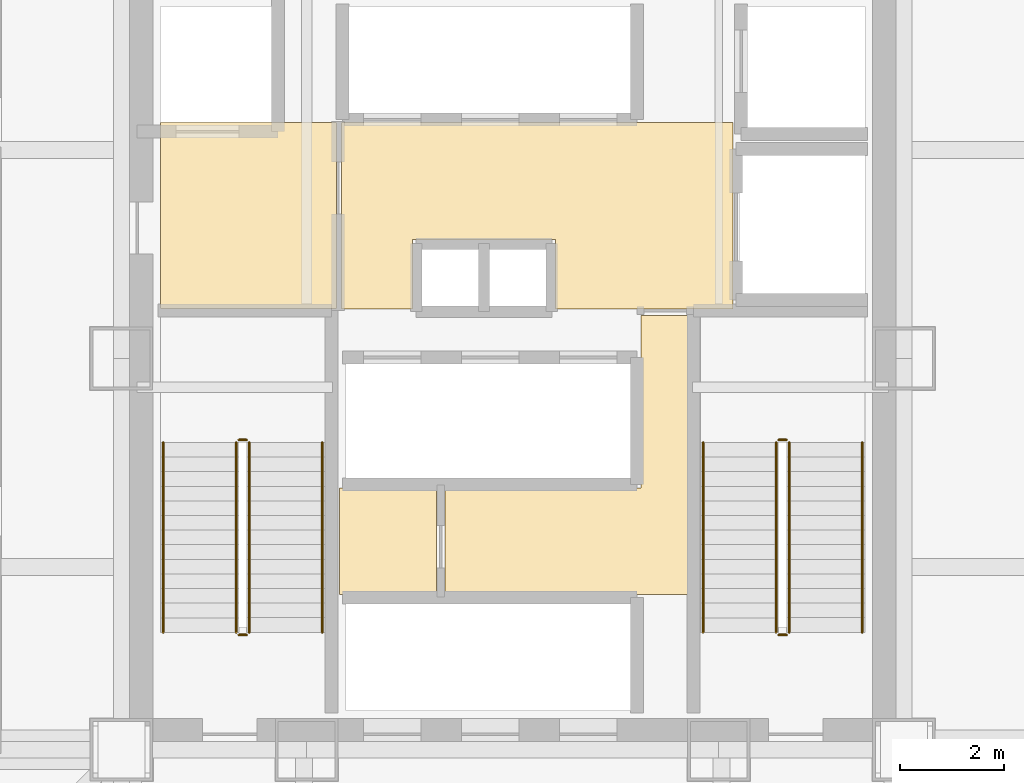
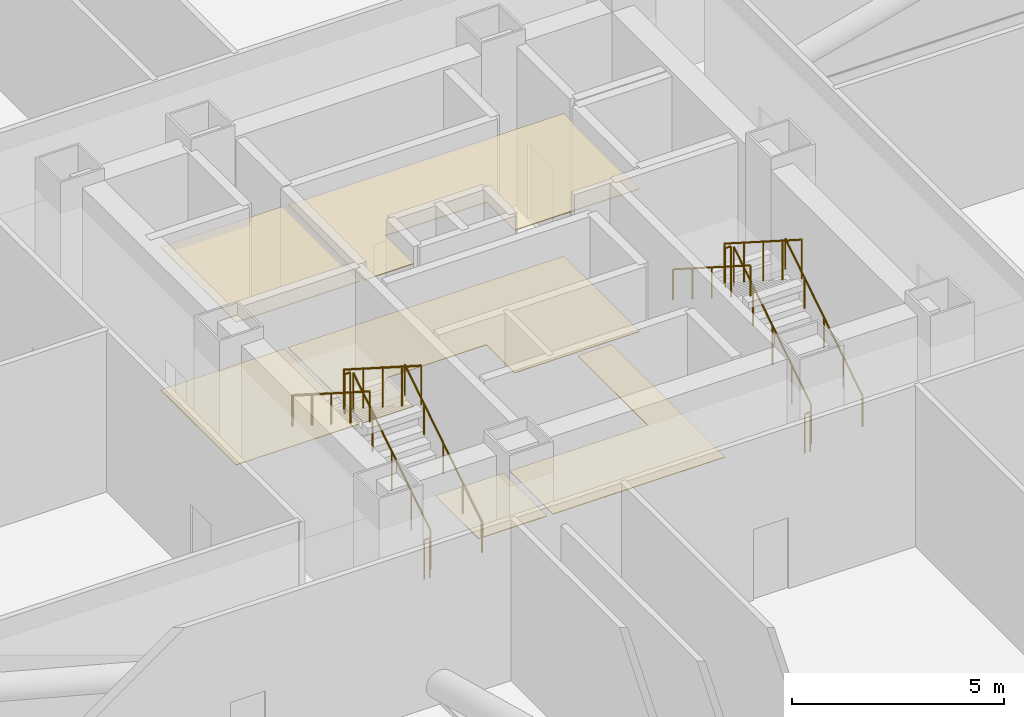
# One storey, part 7 of 8: 12 railings, 6 coverings.
"""IFC4 building model written with IfcOpenShell, lengths in metres."""

from ifc_helpers import new_model, si_unit, direction, frame, origin, origin_2d, place, context, subcontext, project, spatial, polyline, circle, outline, extrude, material, layer, layer_set, type_object, element, save


model = new_model("IFC4")

# Units and contexts
model_context = context("Model", 3, precision=1e-05, world=origin(), true_north=direction((0.0, 1.0)))
body_context = subcontext(model_context, "Body", "Model", "MODEL_VIEW")
ifc_project = project(units=[si_unit("LENGTHUNIT", "METRE"), si_unit("AREAUNIT", "SQUARE_METRE"), si_unit("VOLUMEUNIT", "CUBIC_METRE"), si_unit("PLANEANGLEUNIT", "RADIAN"), si_unit("MASSUNIT", "GRAM", prefix="KILO")], contexts=[model_context])

# Site, building, storey
site_placement = place(None, origin())
site = spatial("IfcSite", under=ifc_project, at=site_placement, CompositionType="ELEMENT")
building_placement = place(site_placement, origin())
building = spatial("IfcBuilding", under=site, at=building_placement, Name="Trevonay Congress Spire", CompositionType="ELEMENT")
storey_placement = place(building_placement, frame((0.0, 0.0, 83.0)))
storey = spatial("IfcBuildingStorey", under=building, at=storey_placement, Name="L21", CompositionType="ELEMENT", Elevation=83.0)

# Coverings
ifc_material_1 = material(Name="Acoustic Mineral Fibre Board", Category="gypsum")
ifc_layer_1 = layer(ifc_material_1, 0.02490234375, Name="Acoustic Mineral Fibre Board")
ifc_layer_set_1 = layer_set([ifc_layer_1], Name="Acoustic Mineral Fibre Board")
covering_type_1 = type_object("IfcCoveringType", Name="COV-CEIL-ACOUSTIC", PredefinedType="CEILING", material=ifc_layer_set_1)
covering_1_placement = place(storey_placement, frame((0.0, 0.0, 4.10009765625)))
element("IfcCovering", 1, at=covering_1_placement, inside=storey, type_object=covering_type_1, Name="L21 Firefighting Lift Lobby West acoustic suspended ceiling", PredefinedType="CEILING", context=body_context, shape_type="SweptSolid", body=[
    extrude(outline(polyline([(-6.75, 0.9599609375), (-3.3798828125, 0.9599609375), (-3.3798828125, 4.52001953125), (-6.75, 4.52001953125), (-6.75, 0.9599609375)])), origin(), (0.0, 0.0, 1.0), 0.02490234375),
])
covering_2_placement = place(storey_placement, frame((0.0, 0.0, 4.10009765625)))
element("IfcCovering", 2, at=covering_2_placement, inside=storey, type_object=covering_type_1, Name="L21 Central and High-Rise Passenger Lift Lobby acoustic suspended ceiling", PredefinedType="CEILING", context=body_context, shape_type="SweptSolid", body=[
    extrude(outline(polyline([(-3.280029296875, 0.949951171875), (-1.919921875, 0.949951171875), (-1.919921875, 2.280029296875), (0.820068359375, 2.280029296875), (0.820068359375, 0.949951171875), (4.219970703125, 0.949951171875), (4.219970703125, 4.52001953125), (-3.280029296875, 4.52001953125), (-3.280029296875, 0.949951171875)])), origin(), (0.0, 0.0, 1.0), 0.02490234375),
])
ifc_material_2 = material(Name="Polished Granite Floor Tile", Category="masonry")
ifc_layer_2 = layer(ifc_material_2, 0.02001953125, Name="Polished Granite Floor Tile")
ifc_layer_set_2 = layer_set([ifc_layer_2], Name="Polished Granite Floor Tile")
covering_type_2 = type_object("IfcCoveringType", Name="COV-FLOOR-STONE", PredefinedType="FLOORING", material=ifc_layer_set_2)
covering_3_placement = place(storey_placement, origin())
element("IfcCovering", 3, at=covering_3_placement, inside=storey, type_object=covering_type_2, Name="L21 Firefighting Lift Lobby West floor finish", PredefinedType="FLOORING", context=body_context, shape_type="SweptSolid", body=[
    extrude(outline(polyline([(-6.75, 0.9599609375), (-3.3798828125, 0.9599609375), (-3.3798828125, 4.52001953125), (-6.75, 4.52001953125), (-6.75, 0.9599609375)])), origin(), (0.0, 0.0, 1.0), 0.02001953125),
])
covering_4_placement = place(storey_placement, origin())
element("IfcCovering", 4, at=covering_4_placement, inside=storey, type_object=covering_type_2, Name="L21 Central and High-Rise Passenger Lift Lobby floor finish", PredefinedType="FLOORING", context=body_context, shape_type="SweptSolid", body=[
    extrude(outline(polyline([(-3.280029296875, 0.949951171875), (-1.919921875, 0.949951171875), (-1.919921875, 2.280029296875), (0.820068359375, 2.280029296875), (0.820068359375, 0.949951171875), (4.219970703125, 0.949951171875), (4.219970703125, 4.52001953125), (-3.280029296875, 4.52001953125), (-3.280029296875, 0.949951171875)])), origin(), (0.0, 0.0, 1.0), 0.02001953125),
])
covering_5_placement = place(storey_placement, origin())
element("IfcCovering", 5, at=covering_5_placement, inside=storey, type_object=covering_type_2, Name="L21 Smoke Control Damper Room floor finish", PredefinedType="FLOORING", context=body_context, shape_type="SweptSolid", body=[
    extrude(outline(polyline([(-1.300048828125, -4.52001953125), (3.3798828125, -4.52001953125), (3.3798828125, 0.820068359375), (2.4599609375, 0.820068359375), (2.4599609375, -2.47998046875), (-1.300048828125, -2.47998046875), (-1.300048828125, -4.52001953125)])), origin(), (0.0, 0.0, 1.0), 0.02001953125),
])
covering_6_placement = place(storey_placement, origin())
element("IfcCovering", 6, at=covering_6_placement, inside=storey, type_object=covering_type_2, Name="L21 Fire Hose and Valve Room floor finish", PredefinedType="FLOORING", context=body_context, shape_type="SweptSolid", body=[
    extrude(outline(polyline([(-3.320068359375, -4.52001953125), (-1.4599609375, -4.52001953125), (-1.4599609375, -2.47998046875), (-3.320068359375, -2.47998046875), (-3.320068359375, -4.52001953125)])), origin(), (0.0, 0.0, 1.0), 0.02001953125),
])

# Railings
ifc_material_3 = material(Name="Pale Anodised Aluminium EN AW-6063-T6", Category="aluminium")
railing_type_1 = type_object("IfcRailingType", Name="RAL-STAIR-GUARD-110", PredefinedType="GUARDRAIL", material=ifc_material_3)
railing_1_placement = place(storey_placement, frame((-5.050048828125, -5.25, 0.178466796875)))
element("IfcRailing", 7, at=railing_1_placement, inside=storey, type_object=railing_type_1, Name="L21 ST-1 stair guard 1", PredefinedType="GUARDRAIL", context=body_context, shape_type="SweptSolid", body=[
    extrude(circle(Radius=0.02392578125, at=origin_2d()), frame((0.0, 0.0, 1.1259765625), z_axis=(0.0, 0.843111507901, 0.53773877045), x_axis=(-1.0, 0.0, 0.0)), (0.0, 0.0, 1.0), 4.317138671875),
    extrude(circle(Radius=0.02099609375, at=origin_2d()), origin(), (0.0, 0.0, 1.0), 1.101806640625),
    extrude(circle(Radius=0.02099609375, at=origin_2d()), frame((0.0, 0.909912109375, 0.580322265625)), (0.0, 0.0, 1.0), 1.101806640625),
    extrude(circle(Radius=0.02099609375, at=origin_2d()), frame((0.0, 1.81982421875, 1.16064453125)), (0.0, 0.0, 1.0), 1.101806640625),
    extrude(circle(Radius=0.02099609375, at=origin_2d()), frame((0.0, 2.72998046875, 1.7412109375)), (0.0, 0.0, 1.0), 1.101806640625),
    extrude(circle(Radius=0.02099609375, at=origin_2d()), frame((0.0, 3.639892578125, 2.321533203125)), (0.0, 0.0, 1.0), 1.101806640625),
])
railing_2_placement = place(storey_placement, frame((-5.10009765625, -1.56005859375, 2.5)))
element("IfcRailing", 8, at=railing_2_placement, inside=storey, type_object=railing_type_1, Name="L21 ST-1 stair guard 2", PredefinedType="GUARDRAIL", context=body_context, shape_type="SweptSolid", body=[
    extrude(circle(Radius=0.02392578125, at=origin_2d()), frame((0.0, 0.0, 1.1259765625), z_axis=(-1.0, 0.0, 0.0), x_axis=(0.0, -1.0, 0.0)), (0.0, 0.0, 1.0), 0.14990234375),
    extrude(circle(Radius=0.02099609375, at=origin_2d()), origin(), (0.0, 0.0, 1.0), 1.101806640625),
    extrude(circle(Radius=0.02099609375, at=origin_2d()), frame((-0.14990234375, 0.0, 0.0)), (0.0, 0.0, 1.0), 1.101806640625),
])
railing_3_placement = place(storey_placement, frame((-5.300048828125, -1.610107421875, 2.678466796875)))
element("IfcRailing", 9, at=railing_3_placement, inside=storey, type_object=railing_type_1, Name="L21 ST-1 stair guard 3", PredefinedType="GUARDRAIL", context=body_context, shape_type="SweptSolid", body=[
    extrude(circle(Radius=0.02392578125, at=origin_2d()), frame((0.0, 0.0, 1.1259765625), z_axis=(0.0, -0.843111507901, 0.53773877045), x_axis=(1.0, 0.0, 0.0)), (0.0, 0.0, 1.0), 4.317138671875),
    extrude(circle(Radius=0.02099609375, at=origin_2d()), origin(), (0.0, 0.0, 1.0), 1.101806640625),
    extrude(circle(Radius=0.02099609375, at=origin_2d()), frame((0.0, -0.909912109375, 0.580322265625)), (0.0, 0.0, 1.0), 1.101806640625),
    extrude(circle(Radius=0.02099609375, at=origin_2d()), frame((0.0, -1.81982421875, 1.16064453125)), (0.0, 0.0, 1.0), 1.101806640625),
    extrude(circle(Radius=0.02099609375, at=origin_2d()), frame((0.0, -2.72998046875, 1.7412109375)), (0.0, 0.0, 1.0), 1.101806640625),
    extrude(circle(Radius=0.02099609375, at=origin_2d()), frame((0.0, -3.639892578125, 2.321533203125)), (0.0, 0.0, 1.0), 1.101806640625),
])
railing_4_placement = place(storey_placement, frame((-5.10009765625, -5.300048828125, 0.0)))
element("IfcRailing", 10, at=railing_4_placement, inside=storey, type_object=railing_type_1, Name="L21 ST-1 stair guard 4", PredefinedType="GUARDRAIL", context=body_context, shape_type="SweptSolid", body=[
    extrude(circle(Radius=0.02392578125, at=origin_2d()), frame((0.0, 0.0, 1.1259765625), z_axis=(-1.0, 0.0, 0.0), x_axis=(0.0, -1.0, 0.0)), (0.0, 0.0, 1.0), 0.14990234375),
    extrude(circle(Radius=0.02099609375, at=origin_2d()), origin(), (0.0, 0.0, 1.0), 1.101806640625),
    extrude(circle(Radius=0.02099609375, at=origin_2d()), frame((-0.14990234375, 0.0, 0.0)), (0.0, 0.0, 1.0), 1.101806640625),
])
railing_5_placement = place(storey_placement, frame((5.300048828125, -5.25, 0.178466796875)))
element("IfcRailing", 11, at=railing_5_placement, inside=storey, type_object=railing_type_1, Name="L21 ST-2 stair guard 1", PredefinedType="GUARDRAIL", context=body_context, shape_type="SweptSolid", body=[
    extrude(circle(Radius=0.02392578125, at=origin_2d()), frame((0.0, 0.0, 1.1259765625), z_axis=(0.0, 0.843111507901, 0.53773877045), x_axis=(-1.0, 0.0, 0.0)), (0.0, 0.0, 1.0), 4.317138671875),
    extrude(circle(Radius=0.02099609375, at=origin_2d()), origin(), (0.0, 0.0, 1.0), 1.101806640625),
    extrude(circle(Radius=0.02099609375, at=origin_2d()), frame((0.0, 0.909912109375, 0.580322265625)), (0.0, 0.0, 1.0), 1.101806640625),
    extrude(circle(Radius=0.02099609375, at=origin_2d()), frame((0.0, 1.81982421875, 1.16064453125)), (0.0, 0.0, 1.0), 1.101806640625),
    extrude(circle(Radius=0.02099609375, at=origin_2d()), frame((0.0, 2.72998046875, 1.7412109375)), (0.0, 0.0, 1.0), 1.101806640625),
    extrude(circle(Radius=0.02099609375, at=origin_2d()), frame((0.0, 3.639892578125, 2.321533203125)), (0.0, 0.0, 1.0), 1.101806640625),
])
railing_6_placement = place(storey_placement, frame((5.25, -1.56005859375, 2.5)))
element("IfcRailing", 12, at=railing_6_placement, inside=storey, type_object=railing_type_1, Name="L21 ST-2 stair guard 2", PredefinedType="GUARDRAIL", context=body_context, shape_type="SweptSolid", body=[
    extrude(circle(Radius=0.02392578125, at=origin_2d()), frame((0.0, 0.0, 1.1259765625), z_axis=(-1.0, 0.0, 0.0), x_axis=(0.0, -1.0, 0.0)), (0.0, 0.0, 1.0), 0.14990234375),
    extrude(circle(Radius=0.02099609375, at=origin_2d()), origin(), (0.0, 0.0, 1.0), 1.101806640625),
    extrude(circle(Radius=0.02099609375, at=origin_2d()), frame((-0.14990234375, 0.0, 0.0)), (0.0, 0.0, 1.0), 1.101806640625),
])
railing_7_placement = place(storey_placement, frame((5.050048828125, -1.610107421875, 2.678466796875)))
element("IfcRailing", 13, at=railing_7_placement, inside=storey, type_object=railing_type_1, Name="L21 ST-2 stair guard 3", PredefinedType="GUARDRAIL", context=body_context, shape_type="SweptSolid", body=[
    extrude(circle(Radius=0.02392578125, at=origin_2d()), frame((0.0, 0.0, 1.1259765625), z_axis=(0.0, -0.843111507901, 0.53773877045), x_axis=(1.0, 0.0, 0.0)), (0.0, 0.0, 1.0), 4.317138671875),
    extrude(circle(Radius=0.02099609375, at=origin_2d()), origin(), (0.0, 0.0, 1.0), 1.101806640625),
    extrude(circle(Radius=0.02099609375, at=origin_2d()), frame((0.0, -0.909912109375, 0.580322265625)), (0.0, 0.0, 1.0), 1.101806640625),
    extrude(circle(Radius=0.02099609375, at=origin_2d()), frame((0.0, -1.81982421875, 1.16064453125)), (0.0, 0.0, 1.0), 1.101806640625),
    extrude(circle(Radius=0.02099609375, at=origin_2d()), frame((0.0, -2.72998046875, 1.7412109375)), (0.0, 0.0, 1.0), 1.101806640625),
    extrude(circle(Radius=0.02099609375, at=origin_2d()), frame((0.0, -3.639892578125, 2.321533203125)), (0.0, 0.0, 1.0), 1.101806640625),
])
railing_8_placement = place(storey_placement, frame((5.25, -5.300048828125, 0.0)))
element("IfcRailing", 14, at=railing_8_placement, inside=storey, type_object=railing_type_1, Name="L21 ST-2 stair guard 4", PredefinedType="GUARDRAIL", context=body_context, shape_type="SweptSolid", body=[
    extrude(circle(Radius=0.02392578125, at=origin_2d()), frame((0.0, 0.0, 1.1259765625), z_axis=(-1.0, 0.0, 0.0), x_axis=(0.0, -1.0, 0.0)), (0.0, 0.0, 1.0), 0.14990234375),
    extrude(circle(Radius=0.02099609375, at=origin_2d()), origin(), (0.0, 0.0, 1.0), 1.101806640625),
    extrude(circle(Radius=0.02099609375, at=origin_2d()), frame((-0.14990234375, 0.0, 0.0)), (0.0, 0.0, 1.0), 1.101806640625),
])
railing_type_2 = type_object("IfcRailingType", Name="RAL-STAIR-HANDRAIL", PredefinedType="HANDRAIL", material=ifc_material_3)
railing_9_placement = place(storey_placement, frame((-3.64990234375, -5.25, 0.178466796875)))
element("IfcRailing", 15, at=railing_9_placement, inside=storey, type_object=railing_type_2, Name="L21 ST-1 stair handrail 1", PredefinedType="HANDRAIL", context=body_context, shape_type="SweptSolid", body=[
    extrude(circle(Radius=0.02392578125, at=origin_2d()), frame((0.0, 0.0, 0.8759765625), z_axis=(0.0, 0.843111507901, 0.53773877045), x_axis=(-1.0, 0.0, 0.0)), (0.0, 0.0, 1.0), 4.317138671875),
    extrude(circle(Radius=0.02099609375, at=origin_2d()), origin(), (0.0, 0.0, 1.0), 0.851806640625),
    extrude(circle(Radius=0.02099609375, at=origin_2d()), frame((0.0, 0.909912109375, 0.580322265625)), (0.0, 0.0, 1.0), 0.851806640625),
    extrude(circle(Radius=0.02099609375, at=origin_2d()), frame((0.0, 1.81982421875, 1.16064453125)), (0.0, 0.0, 1.0), 0.851806640625),
    extrude(circle(Radius=0.02099609375, at=origin_2d()), frame((0.0, 2.72998046875, 1.7412109375)), (0.0, 0.0, 1.0), 0.851806640625),
    extrude(circle(Radius=0.02099609375, at=origin_2d()), frame((0.0, 3.639892578125, 2.321533203125)), (0.0, 0.0, 1.0), 0.851806640625),
])
railing_10_placement = place(storey_placement, frame((-6.699951171875, -1.610107421875, 2.678466796875)))
element("IfcRailing", 16, at=railing_10_placement, inside=storey, type_object=railing_type_2, Name="L21 ST-1 stair handrail 2", PredefinedType="HANDRAIL", context=body_context, shape_type="SweptSolid", body=[
    extrude(circle(Radius=0.02392578125, at=origin_2d()), frame((0.0, 0.0, 0.8759765625), z_axis=(0.0, -0.843111507901, 0.53773877045), x_axis=(1.0, 0.0, 0.0)), (0.0, 0.0, 1.0), 4.317138671875),
    extrude(circle(Radius=0.02099609375, at=origin_2d()), origin(), (0.0, 0.0, 1.0), 0.851806640625),
    extrude(circle(Radius=0.02099609375, at=origin_2d()), frame((0.0, -0.909912109375, 0.580322265625)), (0.0, 0.0, 1.0), 0.851806640625),
    extrude(circle(Radius=0.02099609375, at=origin_2d()), frame((0.0, -1.81982421875, 1.16064453125)), (0.0, 0.0, 1.0), 0.851806640625),
    extrude(circle(Radius=0.02099609375, at=origin_2d()), frame((0.0, -2.72998046875, 1.7412109375)), (0.0, 0.0, 1.0), 0.851806640625),
    extrude(circle(Radius=0.02099609375, at=origin_2d()), frame((0.0, -3.639892578125, 2.321533203125)), (0.0, 0.0, 1.0), 0.851806640625),
])
railing_11_placement = place(storey_placement, frame((6.699951171875, -5.25, 0.178466796875)))
element("IfcRailing", 17, at=railing_11_placement, inside=storey, type_object=railing_type_2, Name="L21 ST-2 stair handrail 1", PredefinedType="HANDRAIL", context=body_context, shape_type="SweptSolid", body=[
    extrude(circle(Radius=0.02392578125, at=origin_2d()), frame((0.0, 0.0, 0.8759765625), z_axis=(0.0, 0.843111507901, 0.53773877045), x_axis=(-1.0, 0.0, 0.0)), (0.0, 0.0, 1.0), 4.317138671875),
    extrude(circle(Radius=0.02099609375, at=origin_2d()), origin(), (0.0, 0.0, 1.0), 0.851806640625),
    extrude(circle(Radius=0.02099609375, at=origin_2d()), frame((0.0, 0.909912109375, 0.580322265625)), (0.0, 0.0, 1.0), 0.851806640625),
    extrude(circle(Radius=0.02099609375, at=origin_2d()), frame((0.0, 1.81982421875, 1.16064453125)), (0.0, 0.0, 1.0), 0.851806640625),
    extrude(circle(Radius=0.02099609375, at=origin_2d()), frame((0.0, 2.72998046875, 1.7412109375)), (0.0, 0.0, 1.0), 0.851806640625),
    extrude(circle(Radius=0.02099609375, at=origin_2d()), frame((0.0, 3.639892578125, 2.321533203125)), (0.0, 0.0, 1.0), 0.851806640625),
])
railing_12_placement = place(storey_placement, frame((3.64990234375, -1.610107421875, 2.678466796875)))
element("IfcRailing", 18, at=railing_12_placement, inside=storey, type_object=railing_type_2, Name="L21 ST-2 stair handrail 2", PredefinedType="HANDRAIL", context=body_context, shape_type="SweptSolid", body=[
    extrude(circle(Radius=0.02392578125, at=origin_2d()), frame((0.0, 0.0, 0.8759765625), z_axis=(0.0, -0.843111507901, 0.53773877045), x_axis=(1.0, 0.0, 0.0)), (0.0, 0.0, 1.0), 4.317138671875),
    extrude(circle(Radius=0.02099609375, at=origin_2d()), origin(), (0.0, 0.0, 1.0), 0.851806640625),
    extrude(circle(Radius=0.02099609375, at=origin_2d()), frame((0.0, -0.909912109375, 0.580322265625)), (0.0, 0.0, 1.0), 0.851806640625),
    extrude(circle(Radius=0.02099609375, at=origin_2d()), frame((0.0, -1.81982421875, 1.16064453125)), (0.0, 0.0, 1.0), 0.851806640625),
    extrude(circle(Radius=0.02099609375, at=origin_2d()), frame((0.0, -2.72998046875, 1.7412109375)), (0.0, 0.0, 1.0), 0.851806640625),
    extrude(circle(Radius=0.02099609375, at=origin_2d()), frame((0.0, -3.639892578125, 2.321533203125)), (0.0, 0.0, 1.0), 0.851806640625),
])

save(model, "model.ifc")
